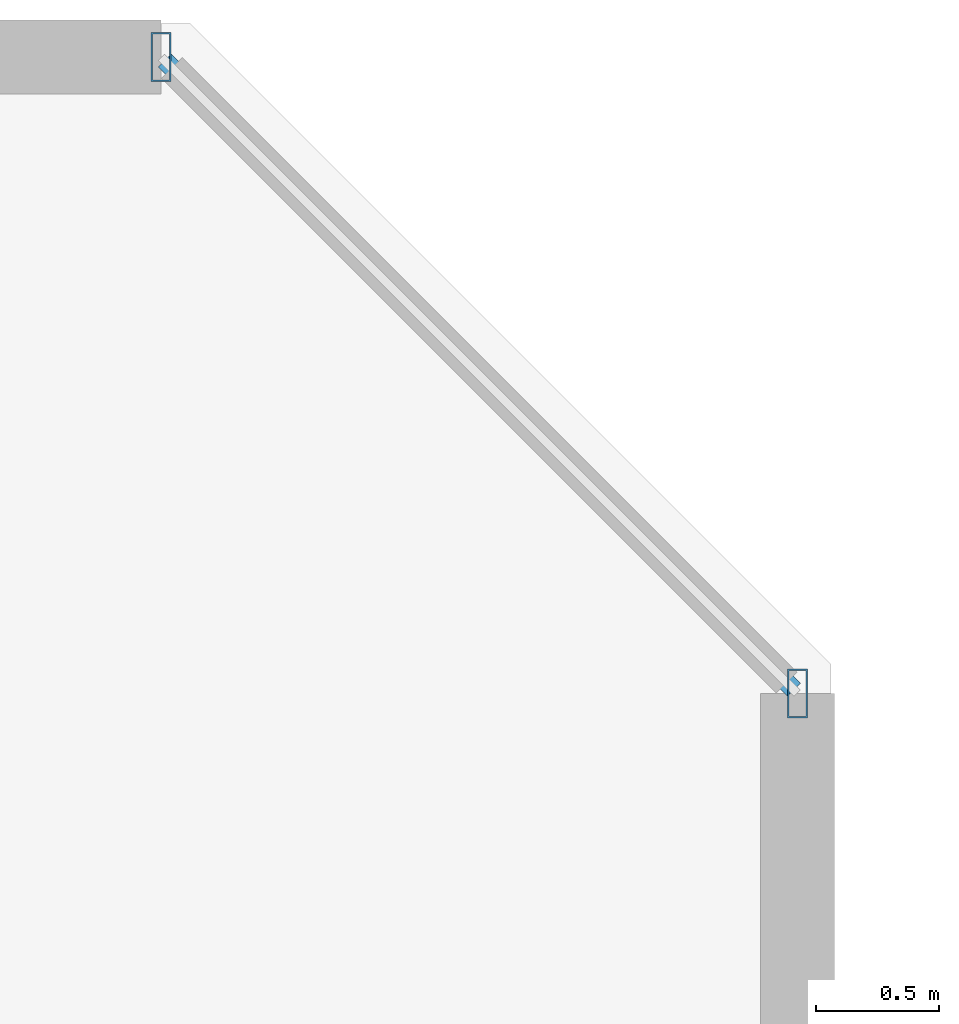
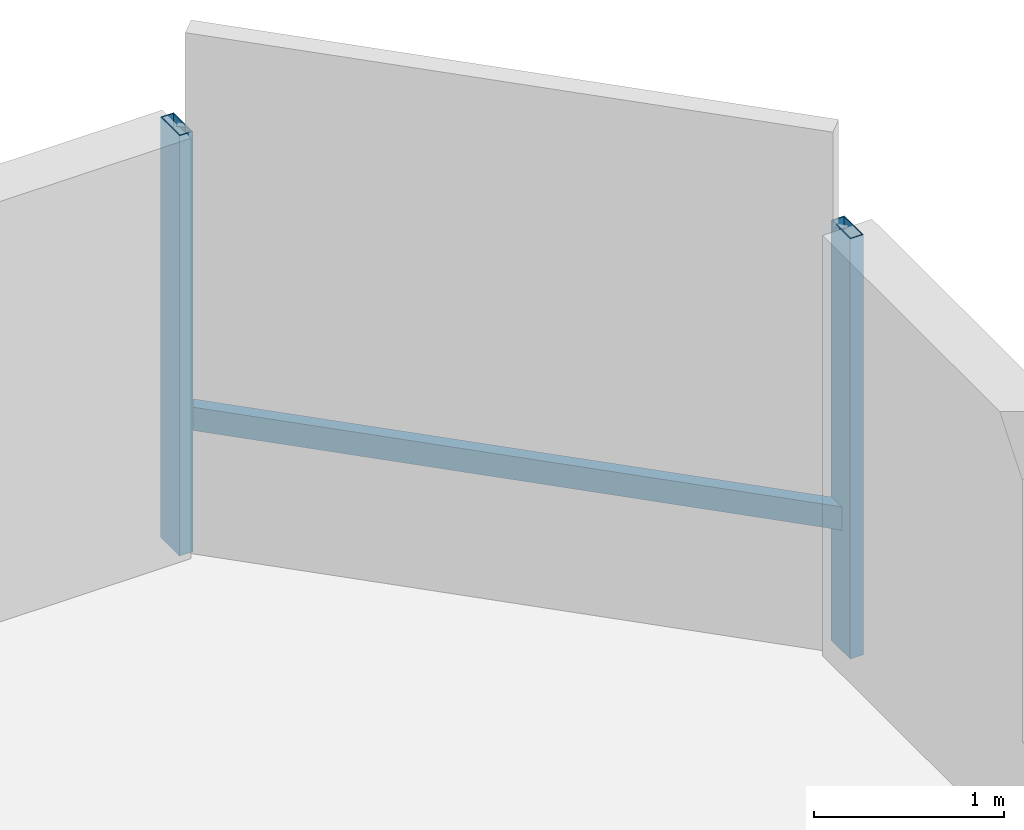
# One storey, part 16 of 33: 3 members, 1 element without a shape of its own.
"""IFC4 building model written with IfcOpenShell, lengths in metres."""

from ifc_helpers import new_model, si_unit, direction, frame, origin, origin_2d, place, context, subcontext, project, spatial, hollow_rectangle, extrude, material, material_profile, profile_set, type_object, element, aggregate, save


model = new_model("IFC4")

# Units and contexts
model_context = context("Model", 3, precision=1e-05, world=origin(), true_north=direction((0.0, 1.0)))
body_context = subcontext(model_context, "Body", "Model", "MODEL_VIEW")
ifc_project = project(units=[si_unit("LENGTHUNIT", "METRE"), si_unit("AREAUNIT", "SQUARE_METRE"), si_unit("VOLUMEUNIT", "CUBIC_METRE"), si_unit("PLANEANGLEUNIT", "RADIAN"), si_unit("MASSUNIT", "GRAM", prefix="KILO")], contexts=[model_context])

# Site, building, storey
site_placement = place(None, origin())
site = spatial("IfcSite", under=ifc_project, at=site_placement, CompositionType="ELEMENT")
building_placement = place(site_placement, origin())
building = spatial("IfcBuilding", under=site, at=building_placement, Name="Thornwick Lancets Civic Towers", CompositionType="ELEMENT")
storey_placement = place(building_placement, frame((0.0, 0.0, 130.5)))
storey = spatial("IfcBuildingStorey", under=building, at=storey_placement, Name="L34", CompositionType="ELEMENT", Elevation=130.5)

# Curtain wall, members
ifc_material_1 = material(Name="Mid-zone chamfered-corner unitised glass curtain wall", Category="glass")
curtain_wall_type = type_object("IfcCurtainWallType", Name="CW_SYS_04", PredefinedType="NOTDEFINED", material=ifc_material_1)
curtain_wall_placement = place(storey_placement, origin())
curtain_wall = element("IfcCurtainWall", 1, at=curtain_wall_placement, inside=storey, type_object=curtain_wall_type, Name="L34 Curtain Wall CW-L34-B-E3", PredefinedType="NOTDEFINED")
ifc_material_2 = material(Name="Thermally broken bronze aluminium S355", Category="steel")
ifc_material_profile_1 = material_profile(ifc_material_2, hollow_rectangle(XDim=0.080078125, YDim=0.199951171875, WallThickness=0.006103515625, at=origin_2d()), Name="RHS 200x80x6")
ifc_profile_set_1 = profile_set([ifc_material_profile_1], Name="Thermally broken bronze aluminium S355")
member_type_1 = type_object("IfcMemberType", Name="CW_MUL_200", PredefinedType="MULLION", material=ifc_profile_set_1)
member_1_placement = place(storey_placement, frame((112.2646484375, 42.181396484375, 0.0), z_axis=(0.0, 0.0, 1.0), x_axis=(1.0, 0.0, 0.0)))
member_1 = element("IfcMember", 2, at=member_1_placement, type_object=member_type_1, Name="CW-L34-B-E3 Mullion 0", PredefinedType="MULLION", context=body_context, shape_type="SweptSolid", body=[
    extrude(hollow_rectangle(XDim=0.080078125, YDim=0.199951171875, WallThickness=0.006103515625, at=origin_2d()), origin(), (0.0, 0.0, 1.0), 2.699951171875),
])
member_2_placement = place(storey_placement, frame((109.681396484375, 44.7646484375, 0.0), z_axis=(0.0, 0.0, 1.0), x_axis=(1.0, 0.0, 0.0)))
member_2 = element("IfcMember", 3, at=member_2_placement, type_object=member_type_1, Name="CW-L34-B-E3 Mullion 1", PredefinedType="MULLION", context=body_context, shape_type="SweptSolid", body=[
    extrude(hollow_rectangle(XDim=0.080078125, YDim=0.199951171875, WallThickness=0.006103515625, at=origin_2d()), origin(), (0.0, 0.0, 1.0), 2.699951171875),
])
ifc_material_profile_2 = material_profile(ifc_material_2, hollow_rectangle(XDim=0.074951171875, YDim=0.14990234375, WallThickness=0.0048828125, at=origin_2d()), Name="RHS 150x75x5")
ifc_profile_set_2 = profile_set([ifc_material_profile_2], Name="Thermally broken bronze aluminium S355")
member_type_2 = type_object("IfcMemberType", Name="CW_TRN_150", PredefinedType="USERDEFINED", material=ifc_profile_set_2)
member_3_placement = place(storey_placement, frame((112.25048828125, 42.195556640625, 0.85009765625), z_axis=(-0.707106781187, 0.707106781187, 0.0), x_axis=(-0.707106781187, -0.707106781187, 0.0)))
member_3 = element("IfcMember", 4, at=member_3_placement, type_object=member_type_2, Name="CW-L34-B-E3 Transom 0", ObjectType="TRANSOM", PredefinedType="USERDEFINED", context=body_context, shape_type="SweptSolid", body=[
    extrude(hollow_rectangle(XDim=0.074951171875, YDim=0.14990234375, WallThickness=0.0048828125, at=origin_2d()), origin(), (0.0, 0.0, 1.0), 3.61328125),
])
aggregate(curtain_wall, [member_1, member_2, member_3])

save(model, "model.ifc")
